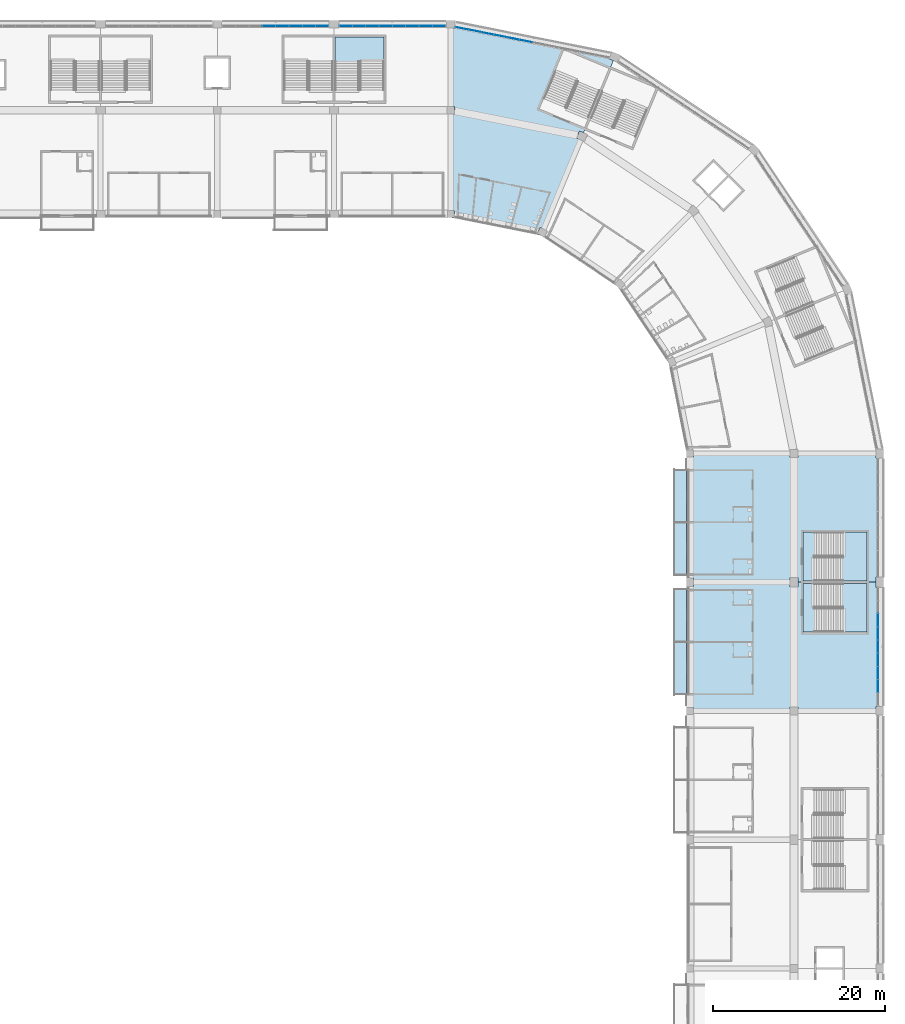
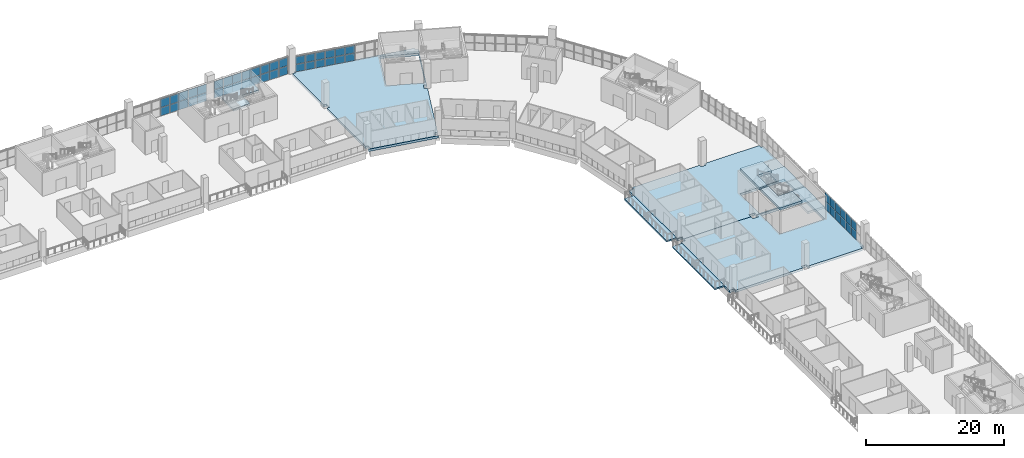
# One storey, part 70 of 199: 50 plates, 10 slabs, 7 elements without a shape of their own.
"""IFC4 building model written with IfcOpenShell, lengths in metres."""

from ifc_helpers import new_model, si_unit, direction, frame, origin, origin_2d, place, context, subcontext, project, spatial, polyline, rectangle, outline, extrude, material, layer, layer_set, type_object, element, aggregate, save


model = new_model("IFC4")

# Units and contexts
model_context = context("Model", 3, precision=1e-05, world=origin(), true_north=direction((0.0, 1.0)))
body_context = subcontext(model_context, "Body", "Model", "MODEL_VIEW")
ifc_project = project(units=[si_unit("LENGTHUNIT", "METRE"), si_unit("AREAUNIT", "SQUARE_METRE"), si_unit("VOLUMEUNIT", "CUBIC_METRE"), si_unit("PLANEANGLEUNIT", "RADIAN"), si_unit("MASSUNIT", "GRAM", prefix="KILO")], contexts=[model_context])

# Site, building, storey
site_placement = place(None, origin())
site = spatial("IfcSite", under=ifc_project, at=site_placement, CompositionType="ELEMENT")
building_placement = place(site_placement, origin())
building = spatial("IfcBuilding", under=site, at=building_placement, Name="Ogive Plaza Stadium", CompositionType="ELEMENT")
storey_placement = place(building_placement, frame((0.0, 0.0, 9.0)))
storey = spatial("IfcBuildingStorey", under=building, at=storey_placement, Name="L02", CompositionType="ELEMENT", Elevation=9.0)

# Slabs
ifc_material_1 = material(Name="Concrete C40/50", Category="concrete")
ifc_layer_1 = layer(ifc_material_1, 0.25)
ifc_layer_set_1 = layer_set([ifc_layer_1], Name="Concrete C40/50")
slab_type_1 = type_object("IfcSlabType", Name="Balcony slab 250", PredefinedType="FLOOR", material=ifc_layer_set_1)
slab_1_placement = place(storey_placement, frame((0.0, 0.0, -0.25)))
element("IfcSlab", 1, at=slab_1_placement, inside=storey, type_object=slab_type_1, Name="Suite terrace slab B01", PredefinedType="FLOOR", context=body_context, shape_type="SweptSolid", body=[
    extrude(outline(polyline([(59.89990234375, 38.324951171875), (61.5, 38.324951171875), (61.5, 50.625), (59.89990234375, 50.625), (59.89990234375, 38.324951171875)])), origin(), (0.0, 0.0, 1.0), 0.25),
])
slab_2_placement = place(storey_placement, frame((0.0, 0.0, -0.25)))
element("IfcSlab", 2, at=slab_2_placement, inside=storey, type_object=slab_type_1, Name="Suite terrace slab B02", PredefinedType="FLOOR", context=body_context, shape_type="SweptSolid", body=[
    extrude(outline(polyline([(59.89990234375, 24.375), (61.5, 24.375), (61.5, 36.675048828125), (59.89990234375, 36.675048828125), (59.89990234375, 24.375)])), origin(), (0.0, 0.0, 1.0), 0.25),
])

# Curtain wall, plates
ifc_material_2 = material(Name="Bronze-anodised aluminium with laminated glass", Category="aluminium")
curtain_wall_type = type_object("IfcCurtainWallType", Name="Lancet curtain wall", PredefinedType="NOTDEFINED", material=ifc_material_2)
curtain_wall_1_placement = place(storey_placement, origin())
curtain_wall_1 = element("IfcCurtainWall", 3, at=curtain_wall_1_placement, inside=storey, type_object=curtain_wall_type, Name="CURTAIN WALL B02 L02", PredefinedType="NOTDEFINED")
ifc_material_3 = material(Name="Laminated glass", Category="glass")
ifc_layer_2 = layer(ifc_material_3, 0.028076171875)
ifc_layer_set_2 = layer_set([ifc_layer_2], Name="Laminated glass panel 28")
plate_type = type_object("IfcPlateType", Name="Laminated glass panel 28", PredefinedType="CURTAIN_PANEL", material=ifc_layer_set_2)
plate_1_placement = place(storey_placement, frame((83.800048828125, 33.066650390625, 0.0498046875), z_axis=(0.0, 0.0, 1.0), x_axis=(0.0, -1.0, 0.0)))
plate_1 = element("IfcPlate", 4, at=plate_1_placement, type_object=plate_type, Name="CW-B02-L02 panel 3.1", PredefinedType="CURTAIN_PANEL", context=body_context, shape_type="SweptSolid", body=[
    extrude(rectangle(XDim=1.4833984375, YDim=0.028076171875, at=origin_2d()), origin(), (0.0, 0.0, 1.0), 1.469970703125),
])
plate_2_placement = place(storey_placement, frame((83.800048828125, 33.066650390625, 1.56982421875), z_axis=(0.0, 0.0, 1.0), x_axis=(0.0, -1.0, 0.0)))
plate_2 = element("IfcPlate", 5, at=plate_2_placement, type_object=plate_type, Name="CW-B02-L02 panel 3.2", PredefinedType="CURTAIN_PANEL", context=body_context, shape_type="SweptSolid", body=[
    extrude(rectangle(XDim=1.4833984375, YDim=0.028076171875, at=origin_2d()), origin(), (0.0, 0.0, 1.0), 1.469970703125),
])
plate_3_placement = place(storey_placement, frame((83.800048828125, 31.533447265625, 0.0498046875), z_axis=(0.0, 0.0, 1.0), x_axis=(0.0, -1.0, 0.0)))
plate_3 = element("IfcPlate", 6, at=plate_3_placement, type_object=plate_type, Name="CW-B02-L02 panel 4.1", PredefinedType="CURTAIN_PANEL", context=body_context, shape_type="SweptSolid", body=[
    extrude(rectangle(XDim=1.4833984375, YDim=0.028076171875, at=origin_2d()), origin(), (0.0, 0.0, 1.0), 1.469970703125),
])
plate_4_placement = place(storey_placement, frame((83.800048828125, 31.533447265625, 1.56982421875), z_axis=(0.0, 0.0, 1.0), x_axis=(0.0, -1.0, 0.0)))
plate_4 = element("IfcPlate", 7, at=plate_4_placement, type_object=plate_type, Name="CW-B02-L02 panel 4.2", PredefinedType="CURTAIN_PANEL", context=body_context, shape_type="SweptSolid", body=[
    extrude(rectangle(XDim=1.4833984375, YDim=0.028076171875, at=origin_2d()), origin(), (0.0, 0.0, 1.0), 1.469970703125),
])
plate_5_placement = place(storey_placement, frame((83.800048828125, 30.0, 0.0498046875), z_axis=(0.0, 0.0, 1.0), x_axis=(0.0, -1.0, 0.0)))
plate_5 = element("IfcPlate", 8, at=plate_5_placement, type_object=plate_type, Name="CW-B02-L02 panel 5.1", PredefinedType="CURTAIN_PANEL", context=body_context, shape_type="SweptSolid", body=[
    extrude(rectangle(XDim=1.4833984375, YDim=0.028076171875, at=origin_2d()), origin(), (0.0, 0.0, 1.0), 1.469970703125),
])
plate_6_placement = place(storey_placement, frame((83.800048828125, 30.0, 1.56982421875), z_axis=(0.0, 0.0, 1.0), x_axis=(0.0, -1.0, 0.0)))
plate_6 = element("IfcPlate", 9, at=plate_6_placement, type_object=plate_type, Name="CW-B02-L02 panel 5.2", PredefinedType="CURTAIN_PANEL", context=body_context, shape_type="SweptSolid", body=[
    extrude(rectangle(XDim=1.4833984375, YDim=0.028076171875, at=origin_2d()), origin(), (0.0, 0.0, 1.0), 1.469970703125),
])
plate_7_placement = place(storey_placement, frame((83.800048828125, 28.466552734375, 0.0498046875), z_axis=(0.0, 0.0, 1.0), x_axis=(0.0, -1.0, 0.0)))
plate_7 = element("IfcPlate", 10, at=plate_7_placement, type_object=plate_type, Name="CW-B02-L02 panel 6.1", PredefinedType="CURTAIN_PANEL", context=body_context, shape_type="SweptSolid", body=[
    extrude(rectangle(XDim=1.4833984375, YDim=0.028076171875, at=origin_2d()), origin(), (0.0, 0.0, 1.0), 1.469970703125),
])
plate_8_placement = place(storey_placement, frame((83.800048828125, 28.466552734375, 1.56982421875), z_axis=(0.0, 0.0, 1.0), x_axis=(0.0, -1.0, 0.0)))
plate_8 = element("IfcPlate", 11, at=plate_8_placement, type_object=plate_type, Name="CW-B02-L02 panel 6.2", PredefinedType="CURTAIN_PANEL", context=body_context, shape_type="SweptSolid", body=[
    extrude(rectangle(XDim=1.4833984375, YDim=0.028076171875, at=origin_2d()), origin(), (0.0, 0.0, 1.0), 1.469970703125),
])
plate_9_placement = place(storey_placement, frame((83.800048828125, 26.933349609375, 0.0498046875), z_axis=(0.0, 0.0, 1.0), x_axis=(0.0, -1.0, 0.0)))
plate_9 = element("IfcPlate", 12, at=plate_9_placement, type_object=plate_type, Name="CW-B02-L02 panel 7.1", PredefinedType="CURTAIN_PANEL", context=body_context, shape_type="SweptSolid", body=[
    extrude(rectangle(XDim=1.4833984375, YDim=0.028076171875, at=origin_2d()), origin(), (0.0, 0.0, 1.0), 1.469970703125),
])
plate_10_placement = place(storey_placement, frame((83.800048828125, 26.933349609375, 1.56982421875), z_axis=(0.0, 0.0, 1.0), x_axis=(0.0, -1.0, 0.0)))
plate_10 = element("IfcPlate", 13, at=plate_10_placement, type_object=plate_type, Name="CW-B02-L02 panel 7.2", PredefinedType="CURTAIN_PANEL", context=body_context, shape_type="SweptSolid", body=[
    extrude(rectangle(XDim=1.4833984375, YDim=0.028076171875, at=origin_2d()), origin(), (0.0, 0.0, 1.0), 1.469970703125),
])
plate_11_placement = place(storey_placement, frame((83.800048828125, 25.39990234375, 0.0498046875), z_axis=(0.0, 0.0, 1.0), x_axis=(0.0, -1.0, 0.0)))
plate_11 = element("IfcPlate", 14, at=plate_11_placement, type_object=plate_type, Name="CW-B02-L02 panel 8.1", PredefinedType="CURTAIN_PANEL", context=body_context, shape_type="SweptSolid", body=[
    extrude(rectangle(XDim=1.4833984375, YDim=0.028076171875, at=origin_2d()), origin(), (0.0, 0.0, 1.0), 1.469970703125),
])
plate_12_placement = place(storey_placement, frame((83.800048828125, 25.39990234375, 1.56982421875), z_axis=(0.0, 0.0, 1.0), x_axis=(0.0, -1.0, 0.0)))
plate_12 = element("IfcPlate", 15, at=plate_12_placement, type_object=plate_type, Name="CW-B02-L02 panel 8.2", PredefinedType="CURTAIN_PANEL", context=body_context, shape_type="SweptSolid", body=[
    extrude(rectangle(XDim=1.4833984375, YDim=0.028076171875, at=origin_2d()), origin(), (0.0, 0.0, 1.0), 1.469970703125),
])
aggregate(curtain_wall_1, [plate_1, plate_2, plate_3, plate_4, plate_5, plate_6, plate_7, plate_8, plate_9, plate_10, plate_11, plate_12])

curtain_wall_2_placement = place(storey_placement, origin())
curtain_wall_2 = element("IfcCurtainWall", 16, at=curtain_wall_2_placement, inside=storey, type_object=curtain_wall_type, Name="CURTAIN WALL B35 L02", PredefinedType="NOTDEFINED")
plate_13_placement = place(storey_placement, frame((12.824951171875, 102.300048828125, 0.0498046875), z_axis=(0.0, 0.0, 1.0), x_axis=(1.0, 0.0, 0.0)))
plate_13 = element("IfcPlate", 17, at=plate_13_placement, type_object=plate_type, Name="CW-B35-L02 panel 4.1", PredefinedType="CURTAIN_PANEL", context=body_context, shape_type="SweptSolid", body=[
    extrude(rectangle(XDim=1.5, YDim=0.028076171875, at=origin_2d()), origin(), (0.0, 0.0, 1.0), 1.469970703125),
])
plate_14_placement = place(storey_placement, frame((12.824951171875, 102.300048828125, 1.56982421875), z_axis=(0.0, 0.0, 1.0), x_axis=(1.0, 0.0, 0.0)))
plate_14 = element("IfcPlate", 18, at=plate_14_placement, type_object=plate_type, Name="CW-B35-L02 panel 4.2", PredefinedType="CURTAIN_PANEL", context=body_context, shape_type="SweptSolid", body=[
    extrude(rectangle(XDim=1.5, YDim=0.028076171875, at=origin_2d()), origin(), (0.0, 0.0, 1.0), 1.469970703125),
])
plate_15_placement = place(storey_placement, frame((14.375, 102.300048828125, 0.0498046875), z_axis=(0.0, 0.0, 1.0), x_axis=(1.0, 0.0, 0.0)))
plate_15 = element("IfcPlate", 19, at=plate_15_placement, type_object=plate_type, Name="CW-B35-L02 panel 5.1", PredefinedType="CURTAIN_PANEL", context=body_context, shape_type="SweptSolid", body=[
    extrude(rectangle(XDim=1.5, YDim=0.028076171875, at=origin_2d()), origin(), (0.0, 0.0, 1.0), 1.469970703125),
])
plate_16_placement = place(storey_placement, frame((14.375, 102.300048828125, 1.56982421875), z_axis=(0.0, 0.0, 1.0), x_axis=(1.0, 0.0, 0.0)))
plate_16 = element("IfcPlate", 20, at=plate_16_placement, type_object=plate_type, Name="CW-B35-L02 panel 5.2", PredefinedType="CURTAIN_PANEL", context=body_context, shape_type="SweptSolid", body=[
    extrude(rectangle(XDim=1.5, YDim=0.028076171875, at=origin_2d()), origin(), (0.0, 0.0, 1.0), 1.469970703125),
])
plate_17_placement = place(storey_placement, frame((15.925048828125, 102.300048828125, 0.0498046875), z_axis=(0.0, 0.0, 1.0), x_axis=(1.0, 0.0, 0.0)))
plate_17 = element("IfcPlate", 21, at=plate_17_placement, type_object=plate_type, Name="CW-B35-L02 panel 6.1", PredefinedType="CURTAIN_PANEL", context=body_context, shape_type="SweptSolid", body=[
    extrude(rectangle(XDim=1.5, YDim=0.028076171875, at=origin_2d()), origin(), (0.0, 0.0, 1.0), 1.469970703125),
])
plate_18_placement = place(storey_placement, frame((15.925048828125, 102.300048828125, 1.56982421875), z_axis=(0.0, 0.0, 1.0), x_axis=(1.0, 0.0, 0.0)))
plate_18 = element("IfcPlate", 22, at=plate_18_placement, type_object=plate_type, Name="CW-B35-L02 panel 6.2", PredefinedType="CURTAIN_PANEL", context=body_context, shape_type="SweptSolid", body=[
    extrude(rectangle(XDim=1.5, YDim=0.028076171875, at=origin_2d()), origin(), (0.0, 0.0, 1.0), 1.469970703125),
])
plate_19_placement = place(storey_placement, frame((17.47509765625, 102.300048828125, 0.0498046875), z_axis=(0.0, 0.0, 1.0), x_axis=(1.0, 0.0, 0.0)))
plate_19 = element("IfcPlate", 23, at=plate_19_placement, type_object=plate_type, Name="CW-B35-L02 panel 7.1", PredefinedType="CURTAIN_PANEL", context=body_context, shape_type="SweptSolid", body=[
    extrude(rectangle(XDim=1.5, YDim=0.028076171875, at=origin_2d()), origin(), (0.0, 0.0, 1.0), 1.469970703125),
])
plate_20_placement = place(storey_placement, frame((17.47509765625, 102.300048828125, 1.56982421875), z_axis=(0.0, 0.0, 1.0), x_axis=(1.0, 0.0, 0.0)))
plate_20 = element("IfcPlate", 24, at=plate_20_placement, type_object=plate_type, Name="CW-B35-L02 panel 7.2", PredefinedType="CURTAIN_PANEL", context=body_context, shape_type="SweptSolid", body=[
    extrude(rectangle(XDim=1.5, YDim=0.028076171875, at=origin_2d()), origin(), (0.0, 0.0, 1.0), 1.469970703125),
])
plate_21_placement = place(storey_placement, frame((19.012451171875, 102.300048828125, 0.0498046875), z_axis=(0.0, 0.0, 1.0), x_axis=(1.0, 0.0, 0.0)))
plate_21 = element("IfcPlate", 25, at=plate_21_placement, type_object=plate_type, Name="CW-B35-L02 panel 8.1", PredefinedType="CURTAIN_PANEL", context=body_context, shape_type="SweptSolid", body=[
    extrude(rectangle(XDim=1.47509765625, YDim=0.028076171875, at=origin_2d()), origin(), (0.0, 0.0, 1.0), 1.469970703125),
])
plate_22_placement = place(storey_placement, frame((19.012451171875, 102.300048828125, 1.56982421875), z_axis=(0.0, 0.0, 1.0), x_axis=(1.0, 0.0, 0.0)))
plate_22 = element("IfcPlate", 26, at=plate_22_placement, type_object=plate_type, Name="CW-B35-L02 panel 8.2", PredefinedType="CURTAIN_PANEL", context=body_context, shape_type="SweptSolid", body=[
    extrude(rectangle(XDim=1.47509765625, YDim=0.028076171875, at=origin_2d()), origin(), (0.0, 0.0, 1.0), 1.469970703125),
])
aggregate(curtain_wall_2, [plate_13, plate_14, plate_15, plate_16, plate_17, plate_18, plate_19, plate_20, plate_21, plate_22])

curtain_wall_3_placement = place(storey_placement, origin())
curtain_wall_3 = element("IfcCurtainWall", 27, at=curtain_wall_3_placement, inside=storey, type_object=curtain_wall_type, Name="CURTAIN WALL B36 L02", PredefinedType="NOTDEFINED")
plate_23_placement = place(storey_placement, frame((21.78759765625, 102.300048828125, 0.0498046875), z_axis=(0.0, 0.0, 1.0), x_axis=(1.0, 0.0, 0.0)))
plate_23 = element("IfcPlate", 28, at=plate_23_placement, type_object=plate_type, Name="CW-B36-L02 panel 1.1", PredefinedType="CURTAIN_PANEL", context=body_context, shape_type="SweptSolid", body=[
    extrude(rectangle(XDim=1.47509765625, YDim=0.028076171875, at=origin_2d()), origin(), (0.0, 0.0, 1.0), 1.469970703125),
])
plate_24_placement = place(storey_placement, frame((21.78759765625, 102.300048828125, 1.56982421875), z_axis=(0.0, 0.0, 1.0), x_axis=(1.0, 0.0, 0.0)))
plate_24 = element("IfcPlate", 29, at=plate_24_placement, type_object=plate_type, Name="CW-B36-L02 panel 1.2", PredefinedType="CURTAIN_PANEL", context=body_context, shape_type="SweptSolid", body=[
    extrude(rectangle(XDim=1.47509765625, YDim=0.028076171875, at=origin_2d()), origin(), (0.0, 0.0, 1.0), 1.469970703125),
])
plate_25_placement = place(storey_placement, frame((23.324951171875, 102.300048828125, 0.0498046875), z_axis=(0.0, 0.0, 1.0), x_axis=(1.0, 0.0, 0.0)))
plate_25 = element("IfcPlate", 30, at=plate_25_placement, type_object=plate_type, Name="CW-B36-L02 panel 2.1", PredefinedType="CURTAIN_PANEL", context=body_context, shape_type="SweptSolid", body=[
    extrude(rectangle(XDim=1.5, YDim=0.028076171875, at=origin_2d()), origin(), (0.0, 0.0, 1.0), 1.469970703125),
])
plate_26_placement = place(storey_placement, frame((23.324951171875, 102.300048828125, 1.56982421875), z_axis=(0.0, 0.0, 1.0), x_axis=(1.0, 0.0, 0.0)))
plate_26 = element("IfcPlate", 31, at=plate_26_placement, type_object=plate_type, Name="CW-B36-L02 panel 2.2", PredefinedType="CURTAIN_PANEL", context=body_context, shape_type="SweptSolid", body=[
    extrude(rectangle(XDim=1.5, YDim=0.028076171875, at=origin_2d()), origin(), (0.0, 0.0, 1.0), 1.469970703125),
])
plate_27_placement = place(storey_placement, frame((24.875, 102.300048828125, 0.0498046875), z_axis=(0.0, 0.0, 1.0), x_axis=(1.0, 0.0, 0.0)))
plate_27 = element("IfcPlate", 32, at=plate_27_placement, type_object=plate_type, Name="CW-B36-L02 panel 3.1", PredefinedType="CURTAIN_PANEL", context=body_context, shape_type="SweptSolid", body=[
    extrude(rectangle(XDim=1.5, YDim=0.028076171875, at=origin_2d()), origin(), (0.0, 0.0, 1.0), 1.469970703125),
])
plate_28_placement = place(storey_placement, frame((24.875, 102.300048828125, 1.56982421875), z_axis=(0.0, 0.0, 1.0), x_axis=(1.0, 0.0, 0.0)))
plate_28 = element("IfcPlate", 33, at=plate_28_placement, type_object=plate_type, Name="CW-B36-L02 panel 3.2", PredefinedType="CURTAIN_PANEL", context=body_context, shape_type="SweptSolid", body=[
    extrude(rectangle(XDim=1.5, YDim=0.028076171875, at=origin_2d()), origin(), (0.0, 0.0, 1.0), 1.469970703125),
])
plate_29_placement = place(storey_placement, frame((26.425048828125, 102.300048828125, 0.0498046875), z_axis=(0.0, 0.0, 1.0), x_axis=(1.0, 0.0, 0.0)))
plate_29 = element("IfcPlate", 34, at=plate_29_placement, type_object=plate_type, Name="CW-B36-L02 panel 4.1", PredefinedType="CURTAIN_PANEL", context=body_context, shape_type="SweptSolid", body=[
    extrude(rectangle(XDim=1.5, YDim=0.028076171875, at=origin_2d()), origin(), (0.0, 0.0, 1.0), 1.469970703125),
])
plate_30_placement = place(storey_placement, frame((26.425048828125, 102.300048828125, 1.56982421875), z_axis=(0.0, 0.0, 1.0), x_axis=(1.0, 0.0, 0.0)))
plate_30 = element("IfcPlate", 35, at=plate_30_placement, type_object=plate_type, Name="CW-B36-L02 panel 4.2", PredefinedType="CURTAIN_PANEL", context=body_context, shape_type="SweptSolid", body=[
    extrude(rectangle(XDim=1.5, YDim=0.028076171875, at=origin_2d()), origin(), (0.0, 0.0, 1.0), 1.469970703125),
])
plate_31_placement = place(storey_placement, frame((27.97509765625, 102.300048828125, 0.0498046875), z_axis=(0.0, 0.0, 1.0), x_axis=(1.0, 0.0, 0.0)))
plate_31 = element("IfcPlate", 36, at=plate_31_placement, type_object=plate_type, Name="CW-B36-L02 panel 5.1", PredefinedType="CURTAIN_PANEL", context=body_context, shape_type="SweptSolid", body=[
    extrude(rectangle(XDim=1.5, YDim=0.028076171875, at=origin_2d()), origin(), (0.0, 0.0, 1.0), 1.469970703125),
])
plate_32_placement = place(storey_placement, frame((27.97509765625, 102.300048828125, 1.56982421875), z_axis=(0.0, 0.0, 1.0), x_axis=(1.0, 0.0, 0.0)))
plate_32 = element("IfcPlate", 37, at=plate_32_placement, type_object=plate_type, Name="CW-B36-L02 panel 5.2", PredefinedType="CURTAIN_PANEL", context=body_context, shape_type="SweptSolid", body=[
    extrude(rectangle(XDim=1.5, YDim=0.028076171875, at=origin_2d()), origin(), (0.0, 0.0, 1.0), 1.469970703125),
])
plate_33_placement = place(storey_placement, frame((29.52490234375, 102.300048828125, 0.0498046875), z_axis=(0.0, 0.0, 1.0), x_axis=(1.0, 0.0, 0.0)))
plate_33 = element("IfcPlate", 38, at=plate_33_placement, type_object=plate_type, Name="CW-B36-L02 panel 6.1", PredefinedType="CURTAIN_PANEL", context=body_context, shape_type="SweptSolid", body=[
    extrude(rectangle(XDim=1.5, YDim=0.028076171875, at=origin_2d()), origin(), (0.0, 0.0, 1.0), 1.469970703125),
])
plate_34_placement = place(storey_placement, frame((29.52490234375, 102.300048828125, 1.56982421875), z_axis=(0.0, 0.0, 1.0), x_axis=(1.0, 0.0, 0.0)))
plate_34 = element("IfcPlate", 39, at=plate_34_placement, type_object=plate_type, Name="CW-B36-L02 panel 6.2", PredefinedType="CURTAIN_PANEL", context=body_context, shape_type="SweptSolid", body=[
    extrude(rectangle(XDim=1.5, YDim=0.028076171875, at=origin_2d()), origin(), (0.0, 0.0, 1.0), 1.469970703125),
])
plate_35_placement = place(storey_placement, frame((31.074951171875, 102.300048828125, 0.0498046875), z_axis=(0.0, 0.0, 1.0), x_axis=(1.0, 0.0, 0.0)))
plate_35 = element("IfcPlate", 40, at=plate_35_placement, type_object=plate_type, Name="CW-B36-L02 panel 7.1", PredefinedType="CURTAIN_PANEL", context=body_context, shape_type="SweptSolid", body=[
    extrude(rectangle(XDim=1.5, YDim=0.028076171875, at=origin_2d()), origin(), (0.0, 0.0, 1.0), 1.469970703125),
])
plate_36_placement = place(storey_placement, frame((31.074951171875, 102.300048828125, 1.56982421875), z_axis=(0.0, 0.0, 1.0), x_axis=(1.0, 0.0, 0.0)))
plate_36 = element("IfcPlate", 41, at=plate_36_placement, type_object=plate_type, Name="CW-B36-L02 panel 7.2", PredefinedType="CURTAIN_PANEL", context=body_context, shape_type="SweptSolid", body=[
    extrude(rectangle(XDim=1.5, YDim=0.028076171875, at=origin_2d()), origin(), (0.0, 0.0, 1.0), 1.469970703125),
])
plate_37_placement = place(storey_placement, frame((32.612548828125, 102.300048828125, 0.0498046875), z_axis=(0.0, 0.0, 1.0), x_axis=(1.0, 0.0, 0.0)))
plate_37 = element("IfcPlate", 42, at=plate_37_placement, type_object=plate_type, Name="CW-B36-L02 panel 8.1", PredefinedType="CURTAIN_PANEL", context=body_context, shape_type="SweptSolid", body=[
    extrude(rectangle(XDim=1.47509765625, YDim=0.028076171875, at=origin_2d()), origin(), (0.0, 0.0, 1.0), 1.469970703125),
])
plate_38_placement = place(storey_placement, frame((32.612548828125, 102.300048828125, 1.56982421875), z_axis=(0.0, 0.0, 1.0), x_axis=(1.0, 0.0, 0.0)))
plate_38 = element("IfcPlate", 43, at=plate_38_placement, type_object=plate_type, Name="CW-B36-L02 panel 8.2", PredefinedType="CURTAIN_PANEL", context=body_context, shape_type="SweptSolid", body=[
    extrude(rectangle(XDim=1.47509765625, YDim=0.028076171875, at=origin_2d()), origin(), (0.0, 0.0, 1.0), 1.469970703125),
])
aggregate(curtain_wall_3, [plate_23, plate_24, plate_25, plate_26, plate_27, plate_28, plate_29, plate_30, plate_31, plate_32, plate_33, plate_34, plate_35, plate_36, plate_37, plate_38])

curtain_wall_4_placement = place(storey_placement, origin())
curtain_wall_4 = element("IfcCurtainWall", 44, at=curtain_wall_4_placement, inside=storey, type_object=curtain_wall_type, Name="CURTAIN WALL B37 L02", PredefinedType="NOTDEFINED")
plate_39_placement = place(storey_placement, frame((35.328369140625, 102.031982421875, 0.0498046875), z_axis=(0.0, 0.0, 1.0), x_axis=(0.9807852804, -0.195090322033, 0.0)))
plate_39 = element("IfcPlate", 45, at=plate_39_placement, type_object=plate_type, Name="CW-B37-L02 panel 1.1", PredefinedType="CURTAIN_PANEL", context=body_context, shape_type="SweptSolid", body=[
    extrude(rectangle(XDim=1.447265625, YDim=0.028076171875, at=origin_2d()), origin(), (0.0, 0.0, 1.0), 1.320068359375),
])
plate_40_placement = place(storey_placement, frame((35.328369140625, 102.031982421875, 1.419921875), z_axis=(0.0, 0.0, 1.0), x_axis=(0.9807852804, -0.195090322033, 0.0)))
plate_40 = element("IfcPlate", 46, at=plate_40_placement, type_object=plate_type, Name="CW-B37-L02 panel 1.2", PredefinedType="CURTAIN_PANEL", context=body_context, shape_type="SweptSolid", body=[
    extrude(rectangle(XDim=1.447265625, YDim=0.028076171875, at=origin_2d()), origin(), (0.0, 0.0, 1.0), 1.320068359375),
])
plate_41_placement = place(storey_placement, frame((36.80908203125, 101.7373046875, 0.0498046875), z_axis=(0.0, 0.0, 1.0), x_axis=(0.9807852804, -0.195090322033, 0.0)))
plate_41 = element("IfcPlate", 47, at=plate_41_placement, type_object=plate_type, Name="CW-B37-L02 panel 2.1", PredefinedType="CURTAIN_PANEL", context=body_context, shape_type="SweptSolid", body=[
    extrude(rectangle(XDim=1.472412109375, YDim=0.028076171875, at=origin_2d()), origin(), (0.0, 0.0, 1.0), 1.320068359375),
])
plate_42_placement = place(storey_placement, frame((36.80908203125, 101.7373046875, 1.419921875), z_axis=(0.0, 0.0, 1.0), x_axis=(0.9807852804, -0.195090322033, 0.0)))
plate_42 = element("IfcPlate", 48, at=plate_42_placement, type_object=plate_type, Name="CW-B37-L02 panel 2.2", PredefinedType="CURTAIN_PANEL", context=body_context, shape_type="SweptSolid", body=[
    extrude(rectangle(XDim=1.472412109375, YDim=0.028076171875, at=origin_2d()), origin(), (0.0, 0.0, 1.0), 1.320068359375),
])
plate_43_placement = place(storey_placement, frame((38.30224609375, 101.4404296875, 0.0498046875), z_axis=(0.0, 0.0, 1.0), x_axis=(0.9807852804, -0.195090322033, 0.0)))
plate_43 = element("IfcPlate", 49, at=plate_43_placement, type_object=plate_type, Name="CW-B37-L02 panel 3.1", PredefinedType="CURTAIN_PANEL", context=body_context, shape_type="SweptSolid", body=[
    extrude(rectangle(XDim=1.472412109375, YDim=0.028076171875, at=origin_2d()), origin(), (0.0, 0.0, 1.0), 1.320068359375),
])
plate_44_placement = place(storey_placement, frame((38.30224609375, 101.4404296875, 1.419921875), z_axis=(0.0, 0.0, 1.0), x_axis=(0.9807852804, -0.195090322033, 0.0)))
plate_44 = element("IfcPlate", 50, at=plate_44_placement, type_object=plate_type, Name="CW-B37-L02 panel 3.2", PredefinedType="CURTAIN_PANEL", context=body_context, shape_type="SweptSolid", body=[
    extrude(rectangle(XDim=1.472412109375, YDim=0.028076171875, at=origin_2d()), origin(), (0.0, 0.0, 1.0), 1.320068359375),
])
plate_45_placement = place(storey_placement, frame((39.79541015625, 101.143310546875, 0.0498046875), z_axis=(0.0, 0.0, 1.0), x_axis=(0.9807852804, -0.195090322033, 0.0)))
plate_45 = element("IfcPlate", 51, at=plate_45_placement, type_object=plate_type, Name="CW-B37-L02 panel 4.1", PredefinedType="CURTAIN_PANEL", context=body_context, shape_type="SweptSolid", body=[
    extrude(rectangle(XDim=1.472412109375, YDim=0.028076171875, at=origin_2d()), origin(), (0.0, 0.0, 1.0), 1.320068359375),
])
plate_46_placement = place(storey_placement, frame((39.79541015625, 101.143310546875, 1.419921875), z_axis=(0.0, 0.0, 1.0), x_axis=(0.9807852804, -0.195090322033, 0.0)))
plate_46 = element("IfcPlate", 52, at=plate_46_placement, type_object=plate_type, Name="CW-B37-L02 panel 4.2", PredefinedType="CURTAIN_PANEL", context=body_context, shape_type="SweptSolid", body=[
    extrude(rectangle(XDim=1.472412109375, YDim=0.028076171875, at=origin_2d()), origin(), (0.0, 0.0, 1.0), 1.320068359375),
])
plate_47_placement = place(storey_placement, frame((41.288330078125, 100.846435546875, 0.0498046875), z_axis=(0.0, 0.0, 1.0), x_axis=(0.9807852804, -0.195090322033, 0.0)))
plate_47 = element("IfcPlate", 53, at=plate_47_placement, type_object=plate_type, Name="CW-B37-L02 panel 5.1", PredefinedType="CURTAIN_PANEL", context=body_context, shape_type="SweptSolid", body=[
    extrude(rectangle(XDim=1.472412109375, YDim=0.028076171875, at=origin_2d()), origin(), (0.0, 0.0, 1.0), 1.320068359375),
])
plate_48_placement = place(storey_placement, frame((41.288330078125, 100.846435546875, 1.419921875), z_axis=(0.0, 0.0, 1.0), x_axis=(0.9807852804, -0.195090322033, 0.0)))
plate_48 = element("IfcPlate", 54, at=plate_48_placement, type_object=plate_type, Name="CW-B37-L02 panel 5.2", PredefinedType="CURTAIN_PANEL", context=body_context, shape_type="SweptSolid", body=[
    extrude(rectangle(XDim=1.472412109375, YDim=0.028076171875, at=origin_2d()), origin(), (0.0, 0.0, 1.0), 1.320068359375),
])
plate_49_placement = place(storey_placement, frame((42.781494140625, 100.54931640625, 0.0498046875), z_axis=(0.0, 0.0, 1.0), x_axis=(0.9807852804, -0.195090322033, 0.0)))
plate_49 = element("IfcPlate", 55, at=plate_49_placement, type_object=plate_type, Name="CW-B37-L02 panel 6.1", PredefinedType="CURTAIN_PANEL", context=body_context, shape_type="SweptSolid", body=[
    extrude(rectangle(XDim=1.472412109375, YDim=0.028076171875, at=origin_2d()), origin(), (0.0, 0.0, 1.0), 1.320068359375),
])
plate_50_placement = place(storey_placement, frame((42.781494140625, 100.54931640625, 1.419921875), z_axis=(0.0, 0.0, 1.0), x_axis=(0.9807852804, -0.195090322033, 0.0)))
plate_50 = element("IfcPlate", 56, at=plate_50_placement, type_object=plate_type, Name="CW-B37-L02 panel 6.2", PredefinedType="CURTAIN_PANEL", context=body_context, shape_type="SweptSolid", body=[
    extrude(rectangle(XDim=1.472412109375, YDim=0.028076171875, at=origin_2d()), origin(), (0.0, 0.0, 1.0), 1.320068359375),
])
aggregate(curtain_wall_4, [plate_39, plate_40, plate_41, plate_42, plate_43, plate_44, plate_45, plate_46, plate_47, plate_48, plate_49, plate_50])

# Slabs
ifc_material_4 = material(Name="Concrete C40/50", Category="concrete")
ifc_layer_3 = layer(ifc_material_4, 0.409912109375)
ifc_layer_set_3 = layer_set([ifc_layer_3], Name="Concrete C40/50")
slab_type_2 = type_object("IfcSlabType", Name="RC floor slab 410", PredefinedType="FLOOR", material=ifc_layer_set_3)
slab_3_placement = place(storey_placement, frame((0.0, 0.0, -0.409912109375)))
element("IfcSlab", 57, at=slab_3_placement, inside=storey, type_object=slab_type_2, Name="Floor slab L02 B01", PredefinedType="FLOOR", context=body_context, shape_type="SweptSolid", body=[
    extrude(outline(polyline([(73.550048828125, 37.5), (73.550048828125, 38.050048828125), (74.449951171875, 38.050048828125), (74.449951171875, 37.5), (83.550048828125, 37.5), (83.550048828125, 38.10009765625), (84.0, 38.10009765625), (84.0, 52.0), (83.550048828125, 52.0), (83.550048828125, 52.5), (74.449951171875, 52.5), (74.449951171875, 52.050048828125), (73.550048828125, 52.050048828125), (73.550048828125, 52.5), (62.300048828125, 52.5), (62.300048828125, 52.10009765625), (61.5, 52.10009765625), (61.5, 38.0), (62.300048828125, 38.0), (62.300048828125, 37.5), (73.550048828125, 37.5)]), holes=[polyline([(75.050048828125, 43.324951171875), (75.050048828125, 37.625), (82.510009765625, 37.625), (82.510009765625, 43.324951171875), (75.050048828125, 43.324951171875)])]), origin(), (0.0, 0.0, 1.0), 0.409912109375),
])
slab_4_placement = place(storey_placement, frame((0.0, 0.0, -0.409912109375)))
element("IfcSlab", 58, at=slab_4_placement, inside=storey, type_object=slab_type_2, Name="Floor slab L02 B02", PredefinedType="FLOOR", context=body_context, shape_type="SweptSolid", body=[
    extrude(outline(polyline([(73.550048828125, 22.5), (73.550048828125, 22.949951171875), (74.449951171875, 22.949951171875), (74.449951171875, 22.5), (83.550048828125, 22.5), (83.550048828125, 23.0), (84.0, 23.0), (84.0, 36.89990234375), (83.550048828125, 36.89990234375), (83.550048828125, 37.5), (74.449951171875, 37.5), (74.449951171875, 36.949951171875), (73.550048828125, 36.949951171875), (73.550048828125, 37.5), (62.300048828125, 37.5), (62.300048828125, 37.0), (61.5, 37.0), (61.5, 22.89990234375), (62.300048828125, 22.89990234375), (62.300048828125, 22.5), (73.550048828125, 22.5)]), holes=[polyline([(75.050048828125, 37.375), (75.050048828125, 31.675048828125), (82.510009765625, 31.675048828125), (82.510009765625, 37.375), (75.050048828125, 37.375)])]), origin(), (0.0, 0.0, 1.0), 0.409912109375),
])
slab_5_placement = place(storey_placement, frame((0.0, 0.0, -0.409912109375)))
element("IfcSlab", 59, at=slab_5_placement, inside=storey, type_object=slab_type_2, Name="Floor slab L02 B37", PredefinedType="FLOOR", context=body_context, shape_type="SweptSolid", body=[
    extrude(outline(polyline([(49.135009765625, 89.03955078125), (48.673095703125, 89.230712890625), (49.017578125, 90.062255859375), (49.4794921875, 89.870849609375), (52.9619140625, 98.2783203125), (52.453857421875, 98.48876953125), (52.584228515625, 98.803466796875), (34.5, 102.400634765625), (34.5, 102.050048828125), (34.0, 102.050048828125), (34.0, 92.949951171875), (34.449951171875, 92.949951171875), (34.449951171875, 92.050048828125), (34.0, 92.050048828125), (34.0, 80.800048828125), (34.39990234375, 80.800048828125), (34.39990234375, 80.0), (34.0, 80.0), (44.523681640625, 77.90673828125), (44.108154296875, 78.078857421875), (44.414306640625, 78.818115234375), (44.829833984375, 78.645751953125), (49.135009765625, 89.03955078125)]), holes=[polyline([(44.32763671875, 92.654296875), (49.59375, 90.47314453125), (52.448486328125, 97.365234375), (47.182373046875, 99.546630859375), (44.32763671875, 92.654296875)])]), origin(), (0.0, 0.0, 1.0), 0.409912109375),
])

# Stair, slabs
ifc_material_5 = material(Name="Concrete C40/50", Category="concrete")
stair_type = type_object("IfcStairType", Name="Exit stair", PredefinedType="STRAIGHT_RUN_STAIR", material=ifc_material_5)
stair_1_placement = place(storey_placement, origin())
stair_1 = element("IfcStair", 60, at=stair_1_placement, inside=storey, type_object=stair_type, Name="Exit stair ST02A L02 to L03", PredefinedType="STRAIGHT_RUN_STAIR")
ifc_material_6 = material(Name="Concrete C40/50", Category="concrete")
ifc_layer_4 = layer(ifc_material_6, 0.39990234375)
ifc_layer_set_4 = layer_set([ifc_layer_4], Name="Concrete C40/50")
slab_type_3 = type_object("IfcSlabType", Name="Stair landing", PredefinedType="LANDING", material=ifc_layer_set_4)
slab_6_placement = place(storey_placement, frame((0.0, 0.0, 1.85009765625)))
slab_6 = element("IfcSlab", 61, at=slab_6_placement, type_object=slab_type_3, Name="ST02A landing 1", PredefinedType="LANDING", context=body_context, shape_type="SweptSolid", body=[
    extrude(outline(polyline([(82.510009765625, 37.375), (82.510009765625, 31.675048828125), (79.7099609375, 31.675048828125), (79.7099609375, 34.574951171875), (77.31005859375, 34.574951171875), (77.31005859375, 37.375), (79.7099609375, 37.375), (82.510009765625, 37.375)])), origin(), (0.0, 0.0, 1.0), 0.39990234375),
])
slab_7_placement = place(storey_placement, frame((0.0, 0.0, 4.10009765625)))
slab_7 = element("IfcSlab", 62, at=slab_7_placement, type_object=slab_type_3, Name="ST02A landing 2", PredefinedType="LANDING", context=body_context, shape_type="SweptSolid", body=[
    extrude(outline(polyline([(78.75, 34.47509765625), (78.75, 31.675048828125), (76.35009765625, 31.675048828125), (75.050048828125, 31.675048828125), (75.050048828125, 37.375), (76.35009765625, 37.375), (76.35009765625, 34.47509765625), (78.75, 34.47509765625)])), origin(), (0.0, 0.0, 1.0), 0.39990234375),
])
aggregate(stair_1, [slab_6, slab_7])

stair_2_placement = place(storey_placement, origin())
stair_2 = element("IfcStair", 63, at=stair_2_placement, inside=storey, type_object=stair_type, Name="Exit stair ST02B L02 to L03", PredefinedType="STRAIGHT_RUN_STAIR")
slab_8_placement = place(storey_placement, frame((0.0, 0.0, 1.85009765625)))
slab_8 = element("IfcSlab", 64, at=slab_8_placement, type_object=slab_type_3, Name="ST02B landing 1", PredefinedType="LANDING", context=body_context, shape_type="SweptSolid", body=[
    extrude(outline(polyline([(77.31005859375, 37.625), (77.31005859375, 40.425048828125), (79.7099609375, 40.425048828125), (79.7099609375, 43.324951171875), (82.510009765625, 43.324951171875), (82.510009765625, 37.625), (79.7099609375, 37.625), (77.31005859375, 37.625)])), origin(), (0.0, 0.0, 1.0), 0.39990234375),
])
slab_9_placement = place(storey_placement, frame((0.0, 0.0, 4.10009765625)))
slab_9 = element("IfcSlab", 65, at=slab_9_placement, type_object=slab_type_3, Name="ST02B landing 2", PredefinedType="LANDING", context=body_context, shape_type="SweptSolid", body=[
    extrude(outline(polyline([(76.35009765625, 37.625), (75.050048828125, 37.625), (75.050048828125, 43.324951171875), (76.35009765625, 43.324951171875), (78.75, 43.324951171875), (78.75, 40.52490234375), (76.35009765625, 40.52490234375), (76.35009765625, 37.625)])), origin(), (0.0, 0.0, 1.0), 0.39990234375),
])
aggregate(stair_2, [slab_8, slab_9])

# Stair, slab
stair_3_placement = place(storey_placement, origin())
stair_3 = element("IfcStair", 66, at=stair_3_placement, inside=storey, type_object=stair_type, Name="Exit stair ST36A L02 to L03", PredefinedType="STRAIGHT_RUN_STAIR")
slab_10_placement = place(storey_placement, frame((0.0, 0.0, 1.85009765625)))
slab_10 = element("IfcSlab", 67, at=slab_10_placement, type_object=slab_type_3, Name="ST36A landing 1", PredefinedType="LANDING", context=body_context, shape_type="SweptSolid", body=[
    extrude(outline(polyline([(20.52490234375, 101.010009765625), (26.22509765625, 101.010009765625), (26.22509765625, 98.2099609375), (23.324951171875, 98.2099609375), (23.324951171875, 95.81005859375), (20.52490234375, 95.81005859375), (20.52490234375, 98.2099609375), (20.52490234375, 101.010009765625)])), origin(), (0.0, 0.0, 1.0), 0.39990234375),
])
aggregate(stair_3, [slab_10])

save(model, "model.ifc")
